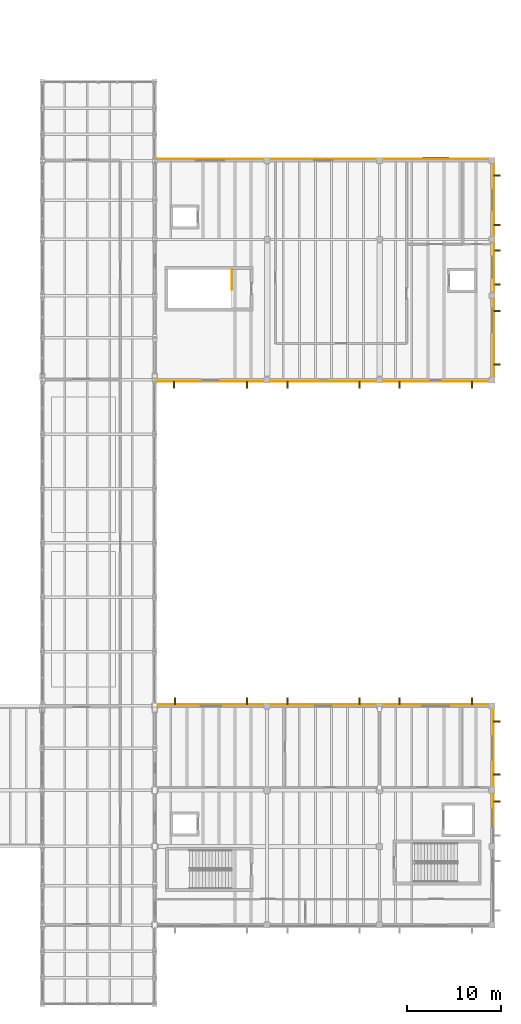
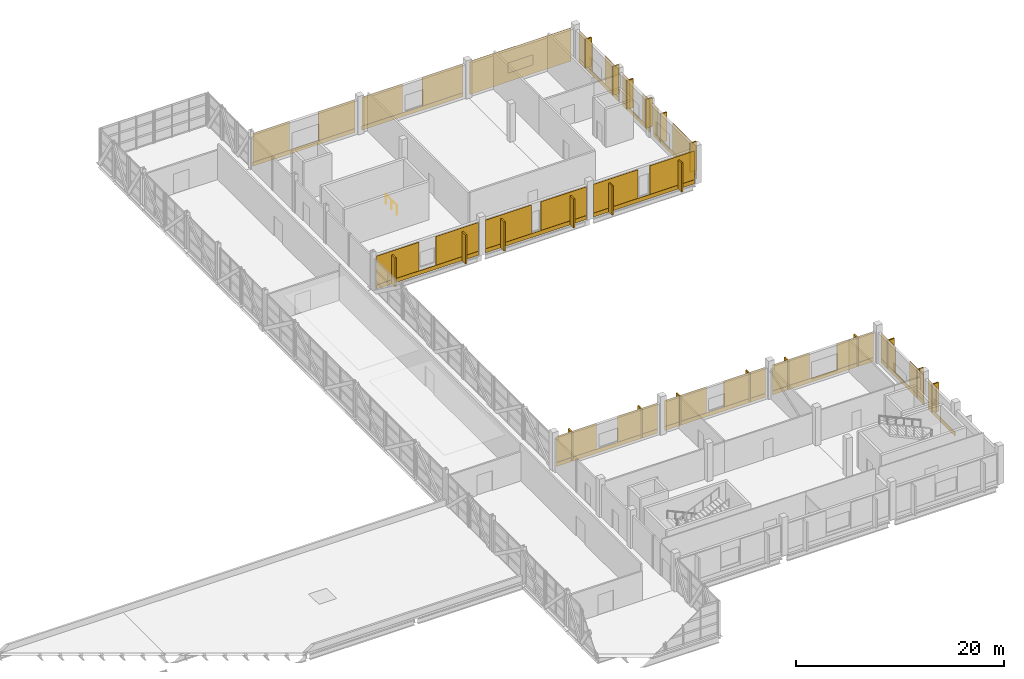
# One storey, part 63 of 63: 60 coverings, 22 shading devices, 1 railing.
"""IFC4 building model written with IfcOpenShell, lengths in metres."""

from ifc_helpers import new_model, si_unit, direction, frame, origin, origin_2d, place, context, subcontext, project, spatial, rectangle, circle, extrude, material, layer, layer_set, type_object, element, save


model = new_model("IFC4")

# Units and contexts
model_context = context("Model", 3, precision=1e-05, world=origin(), true_north=direction((0.0, 1.0)))
body_context = subcontext(model_context, "Body", "Model", "MODEL_VIEW")
ifc_project = project(units=[si_unit("LENGTHUNIT", "METRE"), si_unit("AREAUNIT", "SQUARE_METRE"), si_unit("VOLUMEUNIT", "CUBIC_METRE"), si_unit("PLANEANGLEUNIT", "RADIAN"), si_unit("MASSUNIT", "GRAM", prefix="KILO")], contexts=[model_context])

# Site, building, storey
site_placement = place(None, origin())
site = spatial("IfcSite", under=ifc_project, at=site_placement, CompositionType="ELEMENT")
building_placement = place(site_placement, origin())
building = spatial("IfcBuilding", under=site, at=building_placement, Name="Kelmvaro Bay Concert Hall", CompositionType="ELEMENT")
storey_placement = place(building_placement, frame((0.0, 0.0, 13.800048828125)))
storey = spatial("IfcBuildingStorey", under=building, at=storey_placement, Name="L03", CompositionType="ELEMENT", Elevation=13.800048828125)

# Shading devices
ifc_material_1 = material(Name="Anodised Extruded Aluminium 6063-T6", Category="aluminium")
ifc_layer_1 = layer(ifc_material_1, 3.39990234375)
ifc_layer_set_1 = layer_set([ifc_layer_1], Name="Anodised Extruded Aluminium 6063-T6")
shading_device_type_1 = type_object("IfcShadingDeviceType", Name="Bauhaus Vertical Solar Brise-Soleil Fin 720x3400", PredefinedType="SHUTTER", material=ifc_layer_set_1)
for number, where, z_axis, x_axis, name in (
    (1, (141.839111328125, 73.283935546875, 0.06005859375), (0.0, 0.0, 1.0), (-1.0, 0.0, 0.0), "L03 Solar Brise-Soleil Fin 089"),
    (2, (134.036376953125, 73.283935546875, 0.06005859375), (0.0, 0.0, 1.0), (-1.0, 0.0, 0.0), "L03 Solar Brise-Soleil Fin 090"),
    (3, (153.85888671875, 73.283935546875, 0.06005859375), (0.0, 0.0, 1.0), (-1.0, 0.0, 0.0), "L03 Solar Brise-Soleil Fin 091"),
    (4, (146.14111328125, 73.283935546875, 0.06005859375), (0.0, 0.0, 1.0), (-1.0, 0.0, 0.0), "L03 Solar Brise-Soleil Fin 092"),
    (5, (165.85888671875, 73.283935546875, 0.06005859375), (0.0, 0.0, 1.0), (-1.0, 0.0, 0.0), "L03 Solar Brise-Soleil Fin 093"),
    (6, (158.14111328125, 73.283935546875, 0.06005859375), (0.0, 0.0, 1.0), (-1.0, 0.0, 0.0), "L03 Solar Brise-Soleil Fin 094"),
    (7, (168.51611328125, 81.159912109375, 0.06005859375), (0.0, 0.0, 1.0), (0.0, -1.0, 0.0), "L03 Solar Brise-Soleil Fin 096"),
    (8, (168.51611328125, 75.465087890625, 0.06005859375), (0.0, 0.0, 1.0), (0.0, -1.0, 0.0), "L03 Solar Brise-Soleil Fin 097"),
    (9, (168.51611328125, 87.635986328125, 0.06005859375), (0.0, 0.0, 1.0), (0.0, -1.0, 0.0), "L03 Solar Brise-Soleil Fin 098"),
    (10, (168.51611328125, 83.964111328125, 0.06005859375), (0.0, 0.0, 1.0), (0.0, -1.0, 0.0), "L03 Solar Brise-Soleil Fin 099"),
    (11, (168.51611328125, 95.631103515625, 0.06005859375), (0.0, 0.0, 1.0), (0.0, -1.0, 0.0), "L03 Solar Brise-Soleil Fin 100"),
    (12, (168.51611328125, 90.343994140625, 0.06005859375), (0.0, 0.0, 1.0), (0.0, -1.0, 0.0), "L03 Solar Brise-Soleil Fin 101"),
    (13, (134.14111328125, 39.49609375, 0.06005859375), (0.0, 0.0, 1.0), (1.0, 0.0, 0.0), "L03 Solar Brise-Soleil Fin 173"),
    (14, (141.85888671875, 39.49609375, 0.06005859375), (0.0, 0.0, 1.0), (1.0, 0.0, 0.0), "L03 Solar Brise-Soleil Fin 174"),
    (15, (146.14111328125, 39.49609375, 0.06005859375), (0.0, 0.0, 1.0), (1.0, 0.0, 0.0), "L03 Solar Brise-Soleil Fin 175"),
    (16, (153.85888671875, 39.49609375, 0.06005859375), (0.0, 0.0, 1.0), (1.0, 0.0, 0.0), "L03 Solar Brise-Soleil Fin 176"),
    (17, (158.14111328125, 39.49609375, 0.06005859375), (0.0, 0.0, 1.0), (1.0, 0.0, 0.0), "L03 Solar Brise-Soleil Fin 177"),
    (18, (165.85888671875, 39.49609375, 0.06005859375), (0.0, 0.0, 1.0), (1.0, 0.0, 0.0), "L03 Solar Brise-Soleil Fin 178"),
    (19, (168.49609375, 28.819091796875, 0.06005859375), (0.0, 0.0, 1.0), (0.0, -1.0, 0.0), "L03 Solar Brise-Soleil Fin 181"),
    (20, (168.49609375, 37.339111328125, 0.06005859375), (0.0, 0.0, 1.0), (0.0, -1.0, 0.0), "L03 Solar Brise-Soleil Fin 183"),
    (21, (168.49609375, 31.660888671875, 0.06005859375), (0.0, 0.0, 1.0), (0.0, -1.0, 0.0), "L03 Solar Brise-Soleil Fin 184"),
):
    element("IfcShadingDevice", number, at=place(storey_placement, frame(where, z_axis=z_axis, x_axis=x_axis)), inside=storey, type_object=shading_device_type_1, Name=name, PredefinedType="SHUTTER", context=body_context, shape_type="SweptSolid", body=[
        extrude(rectangle(XDim=0.159912109375, YDim=0.719970703125, at=origin_2d()), origin(), (0.0, 0.0, 1.0), 3.39990234375),
    ])

# Coverings
ifc_material_2 = material(Name="PVDF-Coated Architectural Aluminium", Category="aluminium")
ifc_layer_2 = layer(ifc_material_2, 0.0400390625)
ifc_layer_set_2 = layer_set([ifc_layer_2], Name="PVDF-Coated Architectural Aluminium")
covering_type_1 = type_object("IfcCoveringType", Name="De Stijl Enamelled Aluminium Fascia Panel 40", PredefinedType="CLADDING", material=ifc_layer_set_2)
for number, where, z_axis, x_axis, name in (
    (22, (141.839111328125, 73.283935546875, 0.06005859375), (0.0, 0.0, 1.0), (-1.0, 0.0, 0.0), "L03 Architectural Vertical Fin Cladding 0427"),
    (23, (134.036376953125, 73.283935546875, 0.06005859375), (0.0, 0.0, 1.0), (-1.0, 0.0, 0.0), "L03 Architectural Vertical Fin Cladding 0428"),
    (24, (153.85888671875, 73.283935546875, 0.06005859375), (0.0, 0.0, 1.0), (-1.0, 0.0, 0.0), "L03 Architectural Vertical Fin Cladding 0432"),
    (25, (146.14111328125, 73.283935546875, 0.06005859375), (0.0, 0.0, 1.0), (-1.0, 0.0, 0.0), "L03 Architectural Vertical Fin Cladding 0433"),
    (26, (165.85888671875, 73.283935546875, 0.06005859375), (0.0, 0.0, 1.0), (-1.0, 0.0, 0.0), "L03 Architectural Vertical Fin Cladding 0437"),
    (27, (158.14111328125, 73.283935546875, 0.06005859375), (0.0, 0.0, 1.0), (-1.0, 0.0, 0.0), "L03 Architectural Vertical Fin Cladding 0438"),
    (28, (168.51611328125, 81.159912109375, 0.06005859375), (0.0, 0.0, 1.0), (0.0, -1.0, 0.0), "L03 Architectural Vertical Fin Cladding 0449"),
    (29, (168.51611328125, 75.465087890625, 0.06005859375), (0.0, 0.0, 1.0), (0.0, -1.0, 0.0), "L03 Architectural Vertical Fin Cladding 0450"),
    (30, (168.51611328125, 87.635986328125, 0.06005859375), (0.0, 0.0, 1.0), (0.0, -1.0, 0.0), "L03 Architectural Vertical Fin Cladding 0454"),
    (31, (168.51611328125, 83.964111328125, 0.06005859375), (0.0, 0.0, 1.0), (0.0, -1.0, 0.0), "L03 Architectural Vertical Fin Cladding 0455"),
    (32, (168.51611328125, 95.631103515625, 0.06005859375), (0.0, 0.0, 1.0), (0.0, -1.0, 0.0), "L03 Architectural Vertical Fin Cladding 0459"),
    (33, (168.51611328125, 90.343994140625, 0.06005859375), (0.0, 0.0, 1.0), (0.0, -1.0, 0.0), "L03 Architectural Vertical Fin Cladding 0460"),
    (34, (134.14111328125, 39.49609375, 0.06005859375), (0.0, 0.0, 1.0), (1.0, 0.0, 0.0), "L03 Architectural Vertical Fin Cladding 0813"),
    (35, (141.85888671875, 39.49609375, 0.06005859375), (0.0, 0.0, 1.0), (1.0, 0.0, 0.0), "L03 Architectural Vertical Fin Cladding 0814"),
    (36, (146.14111328125, 39.49609375, 0.06005859375), (0.0, 0.0, 1.0), (1.0, 0.0, 0.0), "L03 Architectural Vertical Fin Cladding 0818"),
    (37, (153.85888671875, 39.49609375, 0.06005859375), (0.0, 0.0, 1.0), (1.0, 0.0, 0.0), "L03 Architectural Vertical Fin Cladding 0819"),
    (38, (158.14111328125, 39.49609375, 0.06005859375), (0.0, 0.0, 1.0), (1.0, 0.0, 0.0), "L03 Architectural Vertical Fin Cladding 0823"),
    (39, (165.85888671875, 39.49609375, 0.06005859375), (0.0, 0.0, 1.0), (1.0, 0.0, 0.0), "L03 Architectural Vertical Fin Cladding 0824"),
    (40, (168.49609375, 28.819091796875, 0.06005859375), (0.0, 0.0, 1.0), (0.0, -1.0, 0.0), "L03 Architectural Vertical Fin Cladding 0833"),
    (41, (168.49609375, 37.339111328125, 0.06005859375), (0.0, 0.0, 1.0), (0.0, -1.0, 0.0), "L03 Architectural Vertical Fin Cladding 0838"),
    (42, (168.49609375, 31.660888671875, 0.06005859375), (0.0, 0.0, 1.0), (0.0, -1.0, 0.0), "L03 Architectural Vertical Fin Cladding 0839"),
):
    element("IfcCovering", number, at=place(storey_placement, frame(where, z_axis=z_axis, x_axis=x_axis)), inside=storey, type_object=covering_type_1, Name=name, PredefinedType="CLADDING", context=body_context, shape_type="SweptSolid", body=[
        extrude(rectangle(XDim=0.139892578125, YDim=0.699951171875, at=origin_2d()), origin(), (0.0, 0.0, 1.0), 3.39990234375),
    ])
ifc_material_3 = material(Name="Honed Florida Limestone Travertine", Category="masonry")
ifc_layer_3 = layer(ifc_material_3, 0.054931640625)
ifc_layer_set_3 = layer_set([ifc_layer_3], Name="Honed Florida Limestone Travertine")
covering_type_2 = type_object("IfcCoveringType", Name="Honed Florida Travertine Rainscreen Cladding 55", PredefinedType="CLADDING", material=ifc_layer_set_3)
covering_1_placement = place(storey_placement, frame((137.937744140625, 73.614501953125, 0.0400390625), z_axis=(0.0, 0.0, 1.0), x_axis=(-1.0, 0.0, 0.0)))
element("IfcCovering", 43, at=covering_1_placement, inside=storey, type_object=covering_type_2, Name="L03 Travertine Sill Band 0426", PredefinedType="CLADDING", context=body_context, shape_type="SweptSolid", body=[
    extrude(rectangle(XDim=11.35498046875, YDim=0.054931640625, at=origin_2d()), origin(), (0.0, 0.0, 1.0), 0.4599609375),
])
for number, where, z_axis, x_axis, name in (
    (44, (141.22900390625, 73.614501953125, 0.52001953125), (0.0, 0.0, 1.0), (-1.0, 0.0, 0.0), "L03 Travertine Pier Panel 0429"),
    (45, (134.646484375, 73.614501953125, 0.52001953125), (0.0, 0.0, 1.0), (-1.0, 0.0, 0.0), "L03 Travertine Pier Panel 0430"),
):
    element("IfcCovering", number, at=place(storey_placement, frame(where, z_axis=z_axis, x_axis=x_axis)), inside=storey, type_object=covering_type_2, Name=name, PredefinedType="CLADDING", context=body_context, shape_type="SweptSolid", body=[
        extrude(rectangle(XDim=4.73193359375, YDim=0.054931640625, at=origin_2d()), origin(), (0.0, 0.0, 1.0), 3.364013671875),
    ])
covering_2_placement = place(storey_placement, frame((150.0, 73.614501953125, 0.0400390625), z_axis=(0.0, 0.0, 1.0), x_axis=(-1.0, 0.0, 0.0)))
element("IfcCovering", 46, at=covering_2_placement, inside=storey, type_object=covering_type_2, Name="L03 Travertine Sill Band 0431", PredefinedType="CLADDING", context=body_context, shape_type="SweptSolid", body=[
    extrude(rectangle(XDim=11.22998046875, YDim=0.054931640625, at=origin_2d()), origin(), (0.0, 0.0, 1.0), 0.4599609375),
])
for number, where, z_axis, x_axis, name in (
    (47, (153.06005859375, 73.614501953125, 0.52001953125), (0.0, 0.0, 1.0), (-1.0, 0.0, 0.0), "L03 Travertine Pier Panel 0434"),
    (48, (146.93994140625, 73.614501953125, 0.52001953125), (0.0, 0.0, 1.0), (-1.0, 0.0, 0.0), "L03 Travertine Pier Panel 0435"),
):
    element("IfcCovering", number, at=place(storey_placement, frame(where, z_axis=z_axis, x_axis=x_axis)), inside=storey, type_object=covering_type_2, Name=name, PredefinedType="CLADDING", context=body_context, shape_type="SweptSolid", body=[
        extrude(rectangle(XDim=5.070068359375, YDim=0.054931640625, at=origin_2d()), origin(), (0.0, 0.0, 1.0), 3.364013671875),
    ])
covering_3_placement = place(storey_placement, frame((162.0, 73.614501953125, 0.0400390625), z_axis=(0.0, 0.0, 1.0), x_axis=(-1.0, 0.0, 0.0)))
element("IfcCovering", 49, at=covering_3_placement, inside=storey, type_object=covering_type_2, Name="L03 Travertine Sill Band 0436", PredefinedType="CLADDING", context=body_context, shape_type="SweptSolid", body=[
    extrude(rectangle(XDim=11.22998046875, YDim=0.054931640625, at=origin_2d()), origin(), (0.0, 0.0, 1.0), 0.4599609375),
])
for number, where, z_axis, x_axis, name in (
    (50, (165.12255859375, 73.614501953125, 0.52001953125), (0.0, 0.0, 1.0), (-1.0, 0.0, 0.0), "L03 Travertine Pier Panel 0439"),
    (51, (158.87744140625, 73.614501953125, 0.52001953125), (0.0, 0.0, 1.0), (-1.0, 0.0, 0.0), "L03 Travertine Pier Panel 0440"),
):
    element("IfcCovering", number, at=place(storey_placement, frame(where, z_axis=z_axis, x_axis=x_axis)), inside=storey, type_object=covering_type_2, Name=name, PredefinedType="CLADDING", context=body_context, shape_type="SweptSolid", body=[
        extrude(rectangle(XDim=4.945068359375, YDim=0.054931640625, at=origin_2d()), origin(), (0.0, 0.0, 1.0), 3.364013671875),
    ])
covering_4_placement = place(storey_placement, frame((137.937744140625, 97.385498046875, 0.0400390625), z_axis=(0.0, 0.0, 1.0), x_axis=(1.0, 0.0, 0.0)))
element("IfcCovering", 52, at=covering_4_placement, inside=storey, type_object=covering_type_2, Name="L03 Travertine Sill Band 0441", PredefinedType="CLADDING", context=body_context, shape_type="SweptSolid", body=[
    extrude(rectangle(XDim=11.35498046875, YDim=0.054931640625, at=origin_2d()), origin(), (0.0, 0.0, 1.0), 0.4599609375),
])
for number, where, z_axis, x_axis, name in (
    (53, (134.30908203125, 97.385498046875, 0.52001953125), (0.0, 0.0, 1.0), (1.0, 0.0, 0.0), "L03 Travertine Pier Panel 0442"),
    (54, (141.56640625, 97.385498046875, 0.52001953125), (0.0, 0.0, 1.0), (1.0, 0.0, 0.0), "L03 Travertine Pier Panel 0443"),
):
    element("IfcCovering", number, at=place(storey_placement, frame(where, z_axis=z_axis, x_axis=x_axis)), inside=storey, type_object=covering_type_2, Name=name, PredefinedType="CLADDING", context=body_context, shape_type="SweptSolid", body=[
        extrude(rectangle(XDim=4.056884765625, YDim=0.054931640625, at=origin_2d()), origin(), (0.0, 0.0, 1.0), 3.364013671875),
    ])
covering_5_placement = place(storey_placement, frame((150.0, 97.385498046875, 0.0400390625), z_axis=(0.0, 0.0, 1.0), x_axis=(1.0, 0.0, 0.0)))
element("IfcCovering", 55, at=covering_5_placement, inside=storey, type_object=covering_type_2, Name="L03 Travertine Sill Band 0444", PredefinedType="CLADDING", context=body_context, shape_type="SweptSolid", body=[
    extrude(rectangle(XDim=11.22998046875, YDim=0.054931640625, at=origin_2d()), origin(), (0.0, 0.0, 1.0), 0.4599609375),
])
for number, where, z_axis, x_axis, name in (
    (56, (146.652587890625, 97.385498046875, 0.52001953125), (0.0, 0.0, 1.0), (1.0, 0.0, 0.0), "L03 Travertine Pier Panel 0445"),
    (57, (153.347412109375, 97.385498046875, 0.52001953125), (0.0, 0.0, 1.0), (1.0, 0.0, 0.0), "L03 Travertine Pier Panel 0446"),
):
    element("IfcCovering", number, at=place(storey_placement, frame(where, z_axis=z_axis, x_axis=x_axis)), inside=storey, type_object=covering_type_2, Name=name, PredefinedType="CLADDING", context=body_context, shape_type="SweptSolid", body=[
        extrude(rectangle(XDim=4.4951171875, YDim=0.054931640625, at=origin_2d()), origin(), (0.0, 0.0, 1.0), 3.364013671875),
    ])
covering_6_placement = place(storey_placement, frame((162.0, 97.385498046875, 0.02978515625), z_axis=(0.0, 0.0, 1.0), x_axis=(1.0, 0.0, 0.0)))
element("IfcCovering", 58, at=covering_6_placement, inside=storey, type_object=covering_type_2, Name="L03 Travertine Cladding Panel 0447", PredefinedType="CLADDING", context=body_context, shape_type="SweptSolid", body=[
    extrude(rectangle(XDim=11.22998046875, YDim=0.054931640625, at=origin_2d()), origin(), (0.0, 0.0, 1.0), 3.884033203125),
])
covering_7_placement = place(storey_placement, frame((168.185546875, 78.3125, 0.0400390625), z_axis=(0.0, 0.0, 1.0), x_axis=(0.0, -1.0, 0.0)))
element("IfcCovering", 59, at=covering_7_placement, inside=storey, type_object=covering_type_2, Name="L03 Travertine Sill Band 0448", PredefinedType="CLADDING", context=body_context, shape_type="SweptSolid", body=[
    extrude(rectangle(XDim=8.2548828125, YDim=0.054931640625, at=origin_2d()), origin(), (0.0, 0.0, 1.0), 0.4599609375),
])
covering_8_placement = place(storey_placement, frame((168.185546875, 81.987548828125, 0.52001953125), z_axis=(0.0, 0.0, 1.0), x_axis=(0.0, -1.0, 0.0)))
element("IfcCovering", 60, at=covering_8_placement, inside=storey, type_object=covering_type_2, Name="L03 Travertine Pier Panel 0451", PredefinedType="CLADDING", context=body_context, shape_type="SweptSolid", body=[
    extrude(rectangle(XDim=0.864990234375, YDim=0.054931640625, at=origin_2d()), origin(), (0.0, 0.0, 1.0), 3.2890625),
])
covering_9_placement = place(storey_placement, frame((168.185546875, 76.47998046875, 0.52001953125), z_axis=(0.0, 0.0, 1.0), x_axis=(0.0, -1.0, 0.0)))
element("IfcCovering", 61, at=covering_9_placement, inside=storey, type_object=covering_type_2, Name="L03 Travertine Pier Panel 0452", PredefinedType="CLADDING", context=body_context, shape_type="SweptSolid", body=[
    extrude(rectangle(XDim=4.550048828125, YDim=0.054931640625, at=origin_2d()), origin(), (0.0, 0.0, 1.0), 3.2890625),
])
covering_10_placement = place(storey_placement, frame((168.185546875, 85.800048828125, 0.0400390625), z_axis=(0.0, 0.0, 1.0), x_axis=(0.0, -1.0, 0.0)))
element("IfcCovering", 62, at=covering_10_placement, inside=storey, type_object=covering_type_2, Name="L03 Travertine Sill Band 0453", PredefinedType="CLADDING", context=body_context, shape_type="SweptSolid", body=[
    extrude(rectangle(XDim=5.280029296875, YDim=0.054931640625, at=origin_2d()), origin(), (0.0, 0.0, 1.0), 0.4599609375),
])
for number, where, z_axis, x_axis, name in (
    (63, (168.185546875, 87.735107421875, 0.52001953125), (0.0, 0.0, 1.0), (0.0, -1.0, 0.0), "L03 Travertine Pier Panel 0456"),
    (64, (168.185546875, 83.864990234375, 0.52001953125), (0.0, 0.0, 1.0), (0.0, -1.0, 0.0), "L03 Travertine Pier Panel 0457"),
):
    element("IfcCovering", number, at=place(storey_placement, frame(where, z_axis=z_axis, x_axis=x_axis)), inside=storey, type_object=covering_type_2, Name=name, PredefinedType="CLADDING", context=body_context, shape_type="SweptSolid", body=[
        extrude(rectangle(XDim=1.3701171875, YDim=0.054931640625, at=origin_2d()), origin(), (0.0, 0.0, 1.0), 3.2880859375),
    ])
covering_11_placement = place(storey_placement, frame((168.185546875, 92.987548828125, 0.0400390625), z_axis=(0.0, 0.0, 1.0), x_axis=(0.0, -1.0, 0.0)))
element("IfcCovering", 65, at=covering_11_placement, inside=storey, type_object=covering_type_2, Name="L03 Travertine Sill Band 0458", PredefinedType="CLADDING", context=body_context, shape_type="SweptSolid", body=[
    extrude(rectangle(XDim=7.655029296875, YDim=0.054931640625, at=origin_2d()), origin(), (0.0, 0.0, 1.0), 0.4599609375),
])
covering_12_placement = place(storey_placement, frame((168.185546875, 95.478759765625, 0.52001953125), z_axis=(0.0, 0.0, 1.0), x_axis=(0.0, -1.0, 0.0)))
element("IfcCovering", 66, at=covering_12_placement, inside=storey, type_object=covering_type_2, Name="L03 Travertine Pier Panel 0461", PredefinedType="CLADDING", context=body_context, shape_type="SweptSolid", body=[
    extrude(rectangle(XDim=2.632080078125, YDim=0.054931640625, at=origin_2d()), origin(), (0.0, 0.0, 1.0), 3.2880859375),
])
covering_13_placement = place(storey_placement, frame((168.185546875, 90.49609375, 0.52001953125), z_axis=(0.0, 0.0, 1.0), x_axis=(0.0, -1.0, 0.0)))
element("IfcCovering", 67, at=covering_13_placement, inside=storey, type_object=covering_type_2, Name="L03 Travertine Pier Panel 0462", PredefinedType="CLADDING", context=body_context, shape_type="SweptSolid", body=[
    extrude(rectangle(XDim=2.633056640625, YDim=0.054931640625, at=origin_2d()), origin(), (0.0, 0.0, 1.0), 3.2880859375),
])
covering_14_placement = place(storey_placement, frame((138.0, 39.16552734375, 0.0400390625), z_axis=(0.0, 0.0, 1.0), x_axis=(1.0, 0.0, 0.0)))
element("IfcCovering", 68, at=covering_14_placement, inside=storey, type_object=covering_type_2, Name="L03 Travertine Sill Band 0812", PredefinedType="CLADDING", context=body_context, shape_type="SweptSolid", body=[
    extrude(rectangle(XDim=11.22998046875, YDim=0.054931640625, at=origin_2d()), origin(), (0.0, 0.0, 1.0), 0.4599609375),
])
for number, where, z_axis, x_axis, name in (
    (69, (134.614990234375, 39.16552734375, 0.52001953125), (0.0, 0.0, 1.0), (1.0, 0.0, 0.0), "L03 Travertine Pier Panel 0815"),
    (70, (141.385009765625, 39.16552734375, 0.52001953125), (0.0, 0.0, 1.0), (1.0, 0.0, 0.0), "L03 Travertine Pier Panel 0816"),
):
    element("IfcCovering", number, at=place(storey_placement, frame(where, z_axis=z_axis, x_axis=x_axis)), inside=storey, type_object=covering_type_2, Name=name, PredefinedType="CLADDING", context=body_context, shape_type="SweptSolid", body=[
        extrude(rectangle(XDim=4.419921875, YDim=0.054931640625, at=origin_2d()), origin(), (0.0, 0.0, 1.0), 3.01904296875),
    ])
covering_15_placement = place(storey_placement, frame((150.0, 39.16552734375, 0.0400390625), z_axis=(0.0, 0.0, 1.0), x_axis=(1.0, 0.0, 0.0)))
element("IfcCovering", 71, at=covering_15_placement, inside=storey, type_object=covering_type_2, Name="L03 Travertine Sill Band 0817", PredefinedType="CLADDING", context=body_context, shape_type="SweptSolid", body=[
    extrude(rectangle(XDim=11.22998046875, YDim=0.054931640625, at=origin_2d()), origin(), (0.0, 0.0, 1.0), 0.4599609375),
])
for number, where, z_axis, x_axis, name in (
    (72, (146.715087890625, 39.16552734375, 0.52001953125), (0.0, 0.0, 1.0), (1.0, 0.0, 0.0), "L03 Travertine Pier Panel 0820"),
    (73, (153.284912109375, 39.16552734375, 0.52001953125), (0.0, 0.0, 1.0), (1.0, 0.0, 0.0), "L03 Travertine Pier Panel 0821"),
):
    element("IfcCovering", number, at=place(storey_placement, frame(where, z_axis=z_axis, x_axis=x_axis)), inside=storey, type_object=covering_type_2, Name=name, PredefinedType="CLADDING", context=body_context, shape_type="SweptSolid", body=[
        extrude(rectangle(XDim=4.6201171875, YDim=0.054931640625, at=origin_2d()), origin(), (0.0, 0.0, 1.0), 3.01904296875),
    ])
covering_16_placement = place(storey_placement, frame((162.0, 39.16552734375, 0.0400390625), z_axis=(0.0, 0.0, 1.0), x_axis=(1.0, 0.0, 0.0)))
element("IfcCovering", 74, at=covering_16_placement, inside=storey, type_object=covering_type_2, Name="L03 Travertine Sill Band 0822", PredefinedType="CLADDING", context=body_context, shape_type="SweptSolid", body=[
    extrude(rectangle(XDim=11.22998046875, YDim=0.054931640625, at=origin_2d()), origin(), (0.0, 0.0, 1.0), 0.4599609375),
])
for number, where, z_axis, x_axis, name in (
    (75, (158.43994140625, 39.16552734375, 0.52001953125), (0.0, 0.0, 1.0), (1.0, 0.0, 0.0), "L03 Travertine Pier Panel 0825"),
    (76, (165.56005859375, 39.16552734375, 0.52001953125), (0.0, 0.0, 1.0), (1.0, 0.0, 0.0), "L03 Travertine Pier Panel 0826"),
):
    element("IfcCovering", number, at=place(storey_placement, frame(where, z_axis=z_axis, x_axis=x_axis)), inside=storey, type_object=covering_type_2, Name=name, PredefinedType="CLADDING", context=body_context, shape_type="SweptSolid", body=[
        extrude(rectangle(XDim=4.070068359375, YDim=0.054931640625, at=origin_2d()), origin(), (0.0, 0.0, 1.0), 3.01904296875),
    ])
covering_17_placement = place(storey_placement, frame((168.16552734375, 27.0, 0.0400390625), z_axis=(0.0, 0.0, 1.0), x_axis=(0.0, -1.0, 0.0)))
element("IfcCovering", 77, at=covering_17_placement, inside=storey, type_object=covering_type_2, Name="L03 Travertine Sill Band 0832", PredefinedType="CLADDING", context=body_context, shape_type="SweptSolid", body=[
    extrude(rectangle(XDim=5.22998046875, YDim=0.054931640625, at=origin_2d()), origin(), (0.0, 0.0, 1.0), 0.4599609375),
])
covering_18_placement = place(storey_placement, frame((168.16552734375, 28.822509765625, 0.52001953125), z_axis=(0.0, 0.0, 1.0), x_axis=(0.0, -1.0, 0.0)))
element("IfcCovering", 78, at=covering_18_placement, inside=storey, type_object=covering_type_2, Name="L03 Travertine Pier Panel 0835", PredefinedType="CLADDING", context=body_context, shape_type="SweptSolid", body=[
    extrude(rectangle(XDim=1.544921875, YDim=0.054931640625, at=origin_2d()), origin(), (0.0, 0.0, 1.0), 3.01806640625),
])
covering_19_placement = place(storey_placement, frame((168.16552734375, 34.5, 0.0400390625), z_axis=(0.0, 0.0, 1.0), x_axis=(0.0, -1.0, 0.0)))
element("IfcCovering", 79, at=covering_19_placement, inside=storey, type_object=covering_type_2, Name="L03 Travertine Sill Band 0837", PredefinedType="CLADDING", context=body_context, shape_type="SweptSolid", body=[
    extrude(rectangle(XDim=8.22998046875, YDim=0.054931640625, at=origin_2d()), origin(), (0.0, 0.0, 1.0), 0.4599609375),
])
for number, where, z_axis, x_axis, name in (
    (80, (168.16552734375, 37.235107421875, 0.52001953125), (0.0, 0.0, 1.0), (0.0, -1.0, 0.0), "L03 Travertine Pier Panel 0840"),
    (81, (168.16552734375, 31.764892578125, 0.52001953125), (0.0, 0.0, 1.0), (0.0, -1.0, 0.0), "L03 Travertine Pier Panel 0841"),
):
    element("IfcCovering", number, at=place(storey_placement, frame(where, z_axis=z_axis, x_axis=x_axis)), inside=storey, type_object=covering_type_2, Name=name, PredefinedType="CLADDING", context=body_context, shape_type="SweptSolid", body=[
        extrude(rectangle(XDim=2.719970703125, YDim=0.054931640625, at=origin_2d()), origin(), (0.0, 0.0, 1.0), 3.01904296875),
    ])

# Shading device
ifc_material_4 = material(Name="Anodised Extruded Aluminium 6063-T6", Category="aluminium")
ifc_layer_4 = layer(ifc_material_4, 1.199951171875)
ifc_layer_set_4 = layer_set([ifc_layer_4], Name="Anodised Extruded Aluminium 6063-T6")
shading_device_type_2 = type_object("IfcShadingDeviceType", Name="Hurricane Acoustic Intake Storm Louvre 2800x1200", PredefinedType="JALOUSIE", material=ifc_layer_set_4)
shading_device_placement = place(storey_placement, frame((162.0, 97.467041015625, 1.0498046875), z_axis=(0.0, 0.0, 1.0), x_axis=(1.0, 0.0, 0.0)))
element("IfcShadingDevice", 82, at=shading_device_placement, inside=storey, type_object=shading_device_type_2, Name="L03 Storm Acoustic Louvre 095", PredefinedType="JALOUSIE", context=body_context, shape_type="SweptSolid", body=[
    extrude(rectangle(XDim=2.800048828125, YDim=0.219970703125, at=origin_2d()), origin(), (0.0, 0.0, 1.0), 1.199951171875),
])

# Railing
ifc_material_5 = material(Name="Powder-Coated Steel ASTM A500", Category="steel")
railing_type = type_object("IfcRailingType", Name="Stair Well Painted Steel Guard 1100", PredefinedType="BALUSTRADE", material=ifc_material_5)
railing_placement = place(storey_placement, frame((140.25, 85.60009765625, 0.0)))
element("IfcRailing", 83, at=railing_placement, inside=storey, type_object=railing_type, Name="L03 ST-07 top well guard 1", PredefinedType="BALUSTRADE", context=body_context, shape_type="SweptSolid", body=[
    extrude(circle(Radius=0.02392578125, at=origin_2d()), frame((0.0, 0.0, 1.076171875), z_axis=(0.0, -1.0, 0.0), x_axis=(1.0, 0.0, 0.0)), (0.0, 0.0, 1.0), 2.150146484375),
    extrude(circle(Radius=0.02099609375, at=origin_2d()), origin(), (0.0, 0.0, 1.0), 1.052001953125),
    extrude(circle(Radius=0.02099609375, at=origin_2d()), frame((0.0, -1.0751953125, 0.0)), (0.0, 0.0, 1.0), 1.052001953125),
    extrude(circle(Radius=0.02099609375, at=origin_2d()), frame((0.0, -2.150146484375, 0.0)), (0.0, 0.0, 1.0), 1.052001953125),
])

save(model, "model.ifc")
